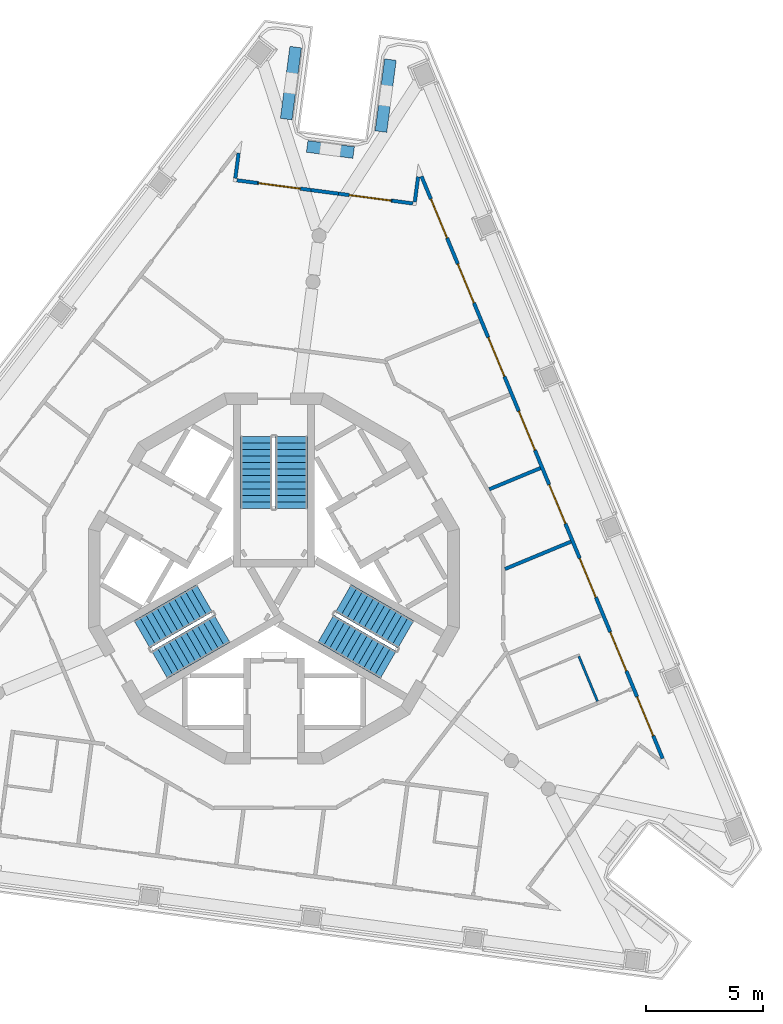
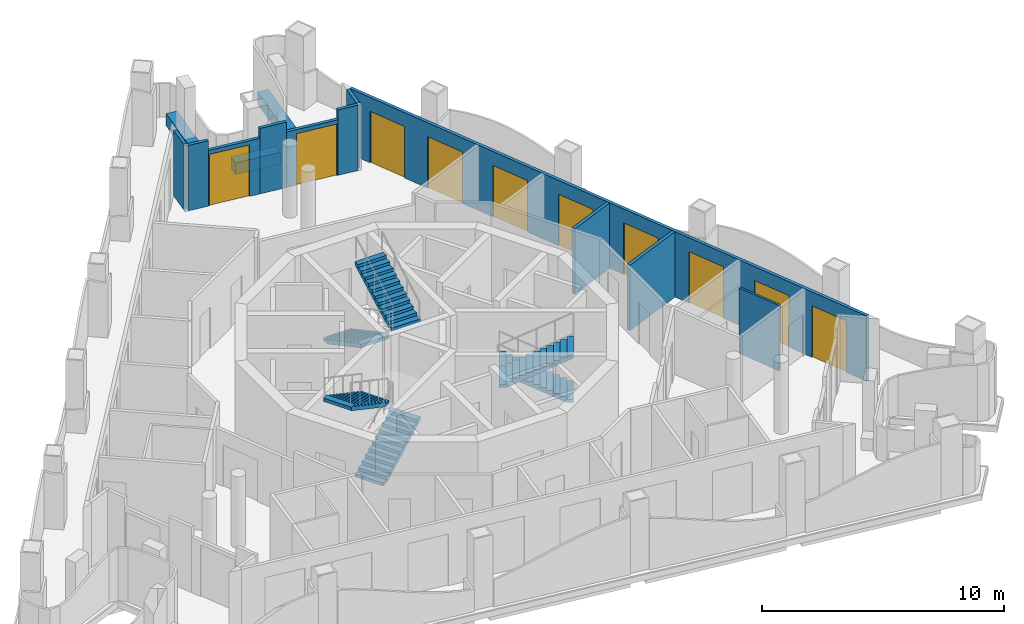
# One storey, part 6 of 12: 14 walls, 10 doors, 6 stair flights, 10 openings, 3 elements without a shape of their own.
"""IFC4 building model written with IfcOpenShell, lengths in metres."""

from ifc_helpers import new_model, si_unit, direction, frame, frame_2d, origin, place, context, subcontext, project, spatial, polyline, rectangle, outline, extrude, material, layer, layer_set, type_object, element, fill, aggregate, save


model = new_model("IFC4")

# Units and contexts
model_context = context("Model", 3, precision=1e-05, world=origin(), true_north=direction((0.0, 1.0)))
body_context = subcontext(model_context, "Body", "Model", "MODEL_VIEW")
ifc_project = project(units=[si_unit("LENGTHUNIT", "METRE"), si_unit("AREAUNIT", "SQUARE_METRE"), si_unit("VOLUMEUNIT", "CUBIC_METRE"), si_unit("PLANEANGLEUNIT", "RADIAN"), si_unit("MASSUNIT", "GRAM", prefix="KILO")], contexts=[model_context])

# Site, building, storey
site_placement = place(None, origin())
site = spatial("IfcSite", under=ifc_project, at=site_placement, CompositionType="ELEMENT")
building_placement = place(site_placement, origin())
building = spatial("IfcBuilding", under=site, at=building_placement, Name="Trine Commons Tower", CompositionType="ELEMENT")
storey_placement = place(building_placement, frame((0.0, 0.0, 275.39990234375)))
storey = spatial("IfcBuildingStorey", under=building, at=storey_placement, Name="L72", CompositionType="ELEMENT", Elevation=275.39990234375)

# Walls
ifc_material_1 = material(Name="Aluminium-framed insulated wall panel", Category="aluminium")
ifc_layer_1 = layer(ifc_material_1, 0.14990234375)
ifc_layer_set_1 = layer_set([ifc_layer_1], Name="Aluminium-framed insulated wall panel")
wall_type_1 = type_object("IfcWallType", Name="Glazed frame wall 150, EI 60", PredefinedType="SOLIDWALL", material=ifc_layer_set_1)
wall_1_placement = place(storey_placement, frame((78.51220703125, 80.81005859375, 0.0), z_axis=(0.0, 0.0, 1.0), x_axis=(-0.130510858064, -0.991446880033, 0.0)))
element("IfcWall", 1, at=wall_1_placement, inside=storey, type_object=wall_type_1, Name="Glazed frame wall R2", PredefinedType="SOLIDWALL", context=body_context, shape_type="SweptSolid", body=[
    extrude(outline(polyline([(0.1494140625, 0.074951171875), (0.1494140625, -0.074951171875), (1.235107421875, -0.074951171875), (1.235107421875, 0.074951171875), (0.1494140625, 0.074951171875)])), origin(), (0.0, 0.0, 1.0), 3.300048828125),
])
wall_2_placement = place(storey_placement, frame((78.306396484375, 79.515869140625, 0.0), z_axis=(0.0, 0.0, 1.0), x_axis=(0.991437672373, -0.130580786489, 0.0)))
element("IfcWall", 2, at=wall_2_placement, inside=storey, type_object=wall_type_1, Name="Glazed frame wall P1.1", PredefinedType="SOLIDWALL", context=body_context, shape_type="SweptSolid", body=[
    extrude(outline(polyline([(0.110107421875, -0.074951171875), (1.0, -0.074951171875), (1.0, 0.074951171875), (0.110107421875, 0.074951171875), (0.110107421875, -0.074951171875)])), origin(), (0.0, 0.0, 1.0), 3.300048828125),
])

# Wall, opening, door
wall_3_placement = place(storey_placement, frame((79.298095703125, 79.38525390625, 0.0), z_axis=(0.0, 0.0, 1.0), x_axis=(0.991435223914, -0.130599375121, 0.0)))
wall_3 = element("IfcWall", 3, at=wall_3_placement, inside=storey, type_object=wall_type_1, Name="Glazed frame wall P1.2", PredefinedType="SOLIDWALL", context=body_context, shape_type="SweptSolid", body=[
    extrude(outline(polyline([(0.0, -0.074951171875), (2.310791015625, -0.074951171875), (2.310791015625, 0.074951171875), (0.0, 0.074951171875), (0.0, -0.074951171875)])), origin(), (0.0, 0.0, 1.0), 2.800048828125),
])
opening_1_placement = place(wall_3_placement, frame((0.050048828125, 0.0, 0.0)))
opening_1 = element("IfcOpeningElement", 4, at=opening_1_placement, cuts=wall_3, Name="Opening BD-8P1-01", PredefinedType="OPENING", context=body_context, shape_type="SweptSolid", body=[
    extrude(rectangle(XDim=1.800048828125, YDim=2.60009765625, at=frame_2d((0.89990234375, 1.300048828125))), frame((0.0, 0.0849609375, 0.0), z_axis=(0.0, -1.0, 0.0), x_axis=(1.0, 0.0, 0.0)), (0.0, 0.0, 1.0), 0.169921875),
])
ifc_material_2 = material(Name="Anodised aluminium frame with double glazing", Category="aluminium")
door_type = type_object("IfcDoorType", Name="Sliding loggia door 1800x2600", OperationType="SLIDING_TO_LEFT", PredefinedType="DOOR", material=ifc_material_2)
door_1_placement = place(opening_1_placement, origin())
door_1 = element("IfcDoor", 5, at=door_1_placement, inside=storey, type_object=door_type, Name="Loggia door P1 1", OperationType="SLIDING_TO_LEFT", OverallHeight=2.60009765625, OverallWidth=1.800048828125, PredefinedType="DOOR", context=body_context, shape_type="SweptSolid", body=[
    extrude(rectangle(XDim=1.800048828125, YDim=2.60009765625, at=frame_2d((0.89990234375, 1.300048828125))), frame((0.0, 0.02490234375, 0.0), z_axis=(0.0, -1.0, 0.0), x_axis=(1.0, 0.0, 0.0)), (0.0, 0.0, 1.0), 0.050048828125),
])
fill(opening_1, door_1)

# Wall
wall_4_placement = place(storey_placement, frame((81.5888671875, 79.08349609375, 0.0), z_axis=(0.0, 0.0, 1.0), x_axis=(0.991447243185, -0.130508099291, 0.0)))
element("IfcWall", 6, at=wall_4_placement, inside=storey, type_object=wall_type_1, Name="Glazed frame wall P1.3", PredefinedType="SOLIDWALL", context=body_context, shape_type="SweptSolid", body=[
    extrude(outline(polyline([(0.0, -0.074951171875), (1.1787109375, -0.074951171875), (1.1787109375, 0.074951171875), (0.0, 0.074951171875), (0.0, -0.074951171875)])), origin(), (0.0, 0.0, 1.0), 3.300048828125),
])

# Wall, opening, door
wall_5_placement = place(storey_placement, frame((82.75732421875, 78.9296875, 0.0), z_axis=(0.0, 0.0, 1.0), x_axis=(0.991450699069, -0.130481842855, 0.0)))
wall_5 = element("IfcWall", 7, at=wall_5_placement, inside=storey, type_object=wall_type_1, Name="Glazed frame wall P1.4", PredefinedType="SOLIDWALL", context=body_context, shape_type="SweptSolid", body=[
    extrude(outline(polyline([(0.0, -0.074951171875), (2.310791015625, -0.074951171875), (2.310791015625, 0.074951171875), (0.0, 0.074951171875), (0.0, -0.074951171875)])), origin(), (0.0, 0.0, 1.0), 2.800048828125),
])
opening_2_placement = place(wall_5_placement, frame((0.460693359375, 0.0, 0.0)))
opening_2 = element("IfcOpeningElement", 8, at=opening_2_placement, cuts=wall_5, Name="Opening BD-8P1-02", PredefinedType="OPENING", context=body_context, shape_type="SweptSolid", body=[
    extrude(rectangle(XDim=1.800048828125, YDim=2.60009765625, at=frame_2d((0.89990234375, 1.300048828125))), frame((0.0, 0.0849609375, 0.0), z_axis=(0.0, -1.0, 0.0), x_axis=(1.0, 0.0, 0.0)), (0.0, 0.0, 1.0), 0.169921875),
])
door_2_placement = place(opening_2_placement, origin())
door_2 = element("IfcDoor", 9, at=door_2_placement, inside=storey, type_object=door_type, Name="Loggia door P1 2", OperationType="SLIDING_TO_LEFT", OverallHeight=2.60009765625, OverallWidth=1.800048828125, PredefinedType="DOOR", context=body_context, shape_type="SweptSolid", body=[
    extrude(rectangle(XDim=1.800048828125, YDim=2.60009765625, at=frame_2d((0.89990234375, 1.300048828125))), frame((0.0, 0.02490234375, 0.0), z_axis=(0.0, -1.0, 0.0), x_axis=(1.0, 0.0, 0.0)), (0.0, 0.0, 1.0), 0.050048828125),
])
fill(opening_2, door_2)

# Walls
wall_6_placement = place(storey_placement, frame((85.04833984375, 78.628173828125, 0.0), z_axis=(0.0, 0.0, 1.0), x_axis=(0.991465094935, -0.130372410907, 0.0)))
element("IfcWall", 10, at=wall_6_placement, inside=storey, type_object=wall_type_1, Name="Glazed frame wall P1.5", PredefinedType="SOLIDWALL", context=body_context, shape_type="SweptSolid", body=[
    extrude(outline(polyline([(0.889892578125, 0.074951171875), (0.0, 0.074951171875), (0.0, -0.074951171875), (0.889892578125, -0.074951171875), (0.889892578125, 0.074951171875)])), origin(), (0.0, 0.0, 1.0), 3.300048828125),
])
wall_7_placement = place(storey_placement, frame((86.00048828125, 78.467529296875, 0.0), z_axis=(0.0, 0.0, 1.0), x_axis=(0.130510858064, 0.991446880033, 0.0)))
element("IfcWall", 11, at=wall_7_placement, inside=storey, type_object=wall_type_1, Name="Glazed frame wall R4", PredefinedType="SOLIDWALL", context=body_context, shape_type="SweptSolid", body=[
    extrude(outline(polyline([(0.110107421875, 0.074951171875), (0.110107421875, -0.074951171875), (1.19580078125, -0.074951171875), (1.19580078125, 0.074951171875), (0.110107421875, 0.074951171875)])), origin(), (0.0, 0.0, 1.0), 3.300048828125),
])

# Wall, openings, doors
wall_8_placement = place(storey_placement, frame((86.2431640625, 79.809814453125, 0.0), z_axis=(0.0, 0.0, 1.0), x_axis=(0.382683868189, -0.923879351987, 0.0)))
wall_8 = element("IfcWall", 12, at=wall_8_placement, inside=storey, type_object=wall_type_1, Name="Glazed frame wall F2", PredefinedType="SOLIDWALL", context=body_context, shape_type="SweptSolid", body=[
    extrude(outline(polyline([(0.1494140625, 0.074951171875), (0.1494140625, -0.074951171875), (27.056884765625, -0.074951171875), (27.056884765625, 0.074951171875), (0.1494140625, 0.074951171875)])), origin(), (0.0, 0.0, 1.0), 3.300048828125),
])
opening_3_placement = place(wall_8_placement, frame((1.200439453125, 0.0, 0.0)))
opening_3 = element("IfcOpeningElement", 13, at=opening_3_placement, cuts=wall_8, Name="Opening BD-8F2-01", PredefinedType="OPENING", context=body_context, shape_type="SweptSolid", body=[
    extrude(rectangle(XDim=1.800048828125, YDim=2.60009765625, at=frame_2d((0.89990234375, 1.300048828125))), frame((0.0, 0.0849609375, 0.0), z_axis=(0.0, -1.0, 0.0), x_axis=(1.0, 0.0, 0.0)), (0.0, 0.0, 1.0), 0.169921875),
])
opening_4_placement = place(wall_8_placement, frame((4.201171875, 0.0, 0.0)))
opening_4 = element("IfcOpeningElement", 14, at=opening_4_placement, cuts=wall_8, Name="Opening BD-8F2-02", PredefinedType="OPENING", context=body_context, shape_type="SweptSolid", body=[
    extrude(rectangle(XDim=1.800048828125, YDim=2.60009765625, at=frame_2d((0.89990234375, 1.300048828125))), frame((0.0, 0.0849609375, 0.0), z_axis=(0.0, -1.0, 0.0), x_axis=(1.0, 0.0, 0.0)), (0.0, 0.0, 1.0), 0.169921875),
])
opening_5_placement = place(wall_8_placement, frame((7.60205078125, 0.0, 0.0)))
opening_5 = element("IfcOpeningElement", 15, at=opening_5_placement, cuts=wall_8, Name="Opening BD-8F2-03", PredefinedType="OPENING", context=body_context, shape_type="SweptSolid", body=[
    extrude(rectangle(XDim=1.800048828125, YDim=2.60009765625, at=frame_2d((0.89990234375, 1.300048828125))), frame((0.0, 0.0849609375, 0.0), z_axis=(0.0, -1.0, 0.0), x_axis=(1.0, 0.0, 0.0)), (0.0, 0.0, 1.0), 0.169921875),
])
opening_6_placement = place(wall_8_placement, frame((11.002685546875, 0.0, 0.0)))
opening_6 = element("IfcOpeningElement", 16, at=opening_6_placement, cuts=wall_8, Name="Opening BD-8F2-04", PredefinedType="OPENING", context=body_context, shape_type="SweptSolid", body=[
    extrude(rectangle(XDim=1.800048828125, YDim=2.60009765625, at=frame_2d((0.89990234375, 1.300048828125))), frame((0.0, 0.0849609375, 0.0), z_axis=(0.0, -1.0, 0.0), x_axis=(1.0, 0.0, 0.0)), (0.0, 0.0, 1.0), 0.169921875),
])
opening_7_placement = place(wall_8_placement, frame((14.403564453125, 0.0, 0.0)))
opening_7 = element("IfcOpeningElement", 17, at=opening_7_placement, cuts=wall_8, Name="Opening BD-8F2-05", PredefinedType="OPENING", context=body_context, shape_type="SweptSolid", body=[
    extrude(rectangle(XDim=1.800048828125, YDim=2.60009765625, at=frame_2d((0.89990234375, 1.300048828125))), frame((0.0, 0.0849609375, 0.0), z_axis=(0.0, -1.0, 0.0), x_axis=(1.0, 0.0, 0.0)), (0.0, 0.0, 1.0), 0.169921875),
])
opening_8_placement = place(wall_8_placement, frame((17.804443359375, 0.0, 0.0)))
opening_8 = element("IfcOpeningElement", 18, at=opening_8_placement, cuts=wall_8, Name="Opening BD-8F2-06", PredefinedType="OPENING", context=body_context, shape_type="SweptSolid", body=[
    extrude(rectangle(XDim=1.800048828125, YDim=2.60009765625, at=frame_2d((0.89990234375, 1.300048828125))), frame((0.0, 0.0849609375, 0.0), z_axis=(0.0, -1.0, 0.0), x_axis=(1.0, 0.0, 0.0)), (0.0, 0.0, 1.0), 0.169921875),
])
opening_9_placement = place(wall_8_placement, frame((21.205078125, 0.0, 0.0)))
opening_9 = element("IfcOpeningElement", 19, at=opening_9_placement, cuts=wall_8, Name="Opening BD-8F2-07", PredefinedType="OPENING", context=body_context, shape_type="SweptSolid", body=[
    extrude(rectangle(XDim=1.800048828125, YDim=2.60009765625, at=frame_2d((0.89990234375, 1.300048828125))), frame((0.0, 0.0849609375, 0.0), z_axis=(0.0, -1.0, 0.0), x_axis=(1.0, 0.0, 0.0)), (0.0, 0.0, 1.0), 0.169921875),
])
opening_10_placement = place(wall_8_placement, frame((24.2060546875, 0.0, 0.0)))
opening_10 = element("IfcOpeningElement", 20, at=opening_10_placement, cuts=wall_8, Name="Opening BD-8F2-08", PredefinedType="OPENING", context=body_context, shape_type="SweptSolid", body=[
    extrude(rectangle(XDim=1.800048828125, YDim=2.60009765625, at=frame_2d((0.89990234375, 1.300048828125))), frame((0.0, 0.0849609375, 0.0), z_axis=(0.0, -1.0, 0.0), x_axis=(1.0, 0.0, 0.0)), (0.0, 0.0, 1.0), 0.169921875),
])
door_3_placement = place(opening_3_placement, origin())
door_3 = element("IfcDoor", 21, at=door_3_placement, inside=storey, type_object=door_type, Name="Loggia door F2 1", OperationType="SLIDING_TO_LEFT", OverallHeight=2.60009765625, OverallWidth=1.800048828125, PredefinedType="DOOR", context=body_context, shape_type="SweptSolid", body=[
    extrude(rectangle(XDim=1.800048828125, YDim=2.60009765625, at=frame_2d((0.89990234375, 1.300048828125))), frame((0.0, 0.02490234375, 0.0), z_axis=(0.0, -1.0, 0.0), x_axis=(1.0, 0.0, 0.0)), (0.0, 0.0, 1.0), 0.050048828125),
])
fill(opening_3, door_3)
door_4_placement = place(opening_4_placement, origin())
door_4 = element("IfcDoor", 22, at=door_4_placement, inside=storey, type_object=door_type, Name="Loggia door F2 2", OperationType="SLIDING_TO_LEFT", OverallHeight=2.60009765625, OverallWidth=1.800048828125, PredefinedType="DOOR", context=body_context, shape_type="SweptSolid", body=[
    extrude(rectangle(XDim=1.800048828125, YDim=2.60009765625, at=frame_2d((0.89990234375, 1.300048828125))), frame((0.0, 0.02490234375, 0.0), z_axis=(0.0, -1.0, 0.0), x_axis=(1.0, 0.0, 0.0)), (0.0, 0.0, 1.0), 0.050048828125),
])
fill(opening_4, door_4)
door_5_placement = place(opening_5_placement, origin())
door_5 = element("IfcDoor", 23, at=door_5_placement, inside=storey, type_object=door_type, Name="Loggia door F2 3", OperationType="SLIDING_TO_LEFT", OverallHeight=2.60009765625, OverallWidth=1.800048828125, PredefinedType="DOOR", context=body_context, shape_type="SweptSolid", body=[
    extrude(rectangle(XDim=1.800048828125, YDim=2.60009765625, at=frame_2d((0.89990234375, 1.300048828125))), frame((0.0, 0.02490234375, 0.0), z_axis=(0.0, -1.0, 0.0), x_axis=(1.0, 0.0, 0.0)), (0.0, 0.0, 1.0), 0.050048828125),
])
fill(opening_5, door_5)
door_6_placement = place(opening_6_placement, origin())
door_6 = element("IfcDoor", 24, at=door_6_placement, inside=storey, type_object=door_type, Name="Loggia door F2 4", OperationType="SLIDING_TO_LEFT", OverallHeight=2.60009765625, OverallWidth=1.800048828125, PredefinedType="DOOR", context=body_context, shape_type="SweptSolid", body=[
    extrude(rectangle(XDim=1.800048828125, YDim=2.60009765625, at=frame_2d((0.89990234375, 1.300048828125))), frame((0.0, 0.02490234375, 0.0), z_axis=(0.0, -1.0, 0.0), x_axis=(1.0, 0.0, 0.0)), (0.0, 0.0, 1.0), 0.050048828125),
])
fill(opening_6, door_6)
door_7_placement = place(opening_7_placement, origin())
door_7 = element("IfcDoor", 25, at=door_7_placement, inside=storey, type_object=door_type, Name="Loggia door F2 5", OperationType="SLIDING_TO_LEFT", OverallHeight=2.60009765625, OverallWidth=1.800048828125, PredefinedType="DOOR", context=body_context, shape_type="SweptSolid", body=[
    extrude(rectangle(XDim=1.800048828125, YDim=2.60009765625, at=frame_2d((0.89990234375, 1.300048828125))), frame((0.0, 0.02490234375, 0.0), z_axis=(0.0, -1.0, 0.0), x_axis=(1.0, 0.0, 0.0)), (0.0, 0.0, 1.0), 0.050048828125),
])
fill(opening_7, door_7)
door_8_placement = place(opening_8_placement, origin())
door_8 = element("IfcDoor", 26, at=door_8_placement, inside=storey, type_object=door_type, Name="Loggia door F2 6", OperationType="SLIDING_TO_LEFT", OverallHeight=2.60009765625, OverallWidth=1.800048828125, PredefinedType="DOOR", context=body_context, shape_type="SweptSolid", body=[
    extrude(rectangle(XDim=1.800048828125, YDim=2.60009765625, at=frame_2d((0.89990234375, 1.300048828125))), frame((0.0, 0.02490234375, 0.0), z_axis=(0.0, -1.0, 0.0), x_axis=(1.0, 0.0, 0.0)), (0.0, 0.0, 1.0), 0.050048828125),
])
fill(opening_8, door_8)
door_9_placement = place(opening_9_placement, origin())
door_9 = element("IfcDoor", 27, at=door_9_placement, inside=storey, type_object=door_type, Name="Loggia door F2 7", OperationType="SLIDING_TO_LEFT", OverallHeight=2.60009765625, OverallWidth=1.800048828125, PredefinedType="DOOR", context=body_context, shape_type="SweptSolid", body=[
    extrude(rectangle(XDim=1.800048828125, YDim=2.60009765625, at=frame_2d((0.89990234375, 1.300048828125))), frame((0.0, 0.02490234375, 0.0), z_axis=(0.0, -1.0, 0.0), x_axis=(1.0, 0.0, 0.0)), (0.0, 0.0, 1.0), 0.050048828125),
])
fill(opening_9, door_9)
door_10_placement = place(opening_10_placement, origin())
door_10 = element("IfcDoor", 28, at=door_10_placement, inside=storey, type_object=door_type, Name="Loggia door F2 8", OperationType="SLIDING_TO_LEFT", OverallHeight=2.60009765625, OverallWidth=1.800048828125, PredefinedType="DOOR", context=body_context, shape_type="SweptSolid", body=[
    extrude(rectangle(XDim=1.800048828125, YDim=2.60009765625, at=frame_2d((0.89990234375, 1.300048828125))), frame((0.0, 0.02490234375, 0.0), z_axis=(0.0, -1.0, 0.0), x_axis=(1.0, 0.0, 0.0)), (0.0, 0.0, 1.0), 0.050048828125),
])
fill(opening_10, door_10)

# Walls
ifc_material_3 = material(Name="Planter trough, precast concrete C40/50", Category="concrete")
ifc_layer_2 = layer(ifc_material_3, 0.5)
ifc_layer_set_2 = layer_set([ifc_layer_2], Name="Planter trough, precast concrete C40/50")
wall_type_2 = type_object("IfcWallType", Name="Planter trough 500x600", PredefinedType="PARAPET", material=ifc_layer_set_2)
wall_9_placement = place(storey_placement, frame((80.92919921875, 85.18701171875, 0.0), z_axis=(0.0, 0.0, 1.0), x_axis=(-0.130487105691, -0.991450006429, 0.0)))
element("IfcWall", 29, at=wall_9_placement, inside=storey, type_object=wall_type_2, Name="Planter 4", PredefinedType="PARAPET", context=body_context, shape_type="SweptSolid", body=[
    extrude(rectangle(XDim=3.100341796875, YDim=0.5, at=frame_2d((1.55029296875, 0.0))), origin(), (0.0, 0.0, 1.0), 0.60009765625),
])
wall_10_placement = place(storey_placement, frame((81.419921875, 80.94677734375, 0.0), z_axis=(0.0, 0.0, 1.0), x_axis=(0.991433509034, -0.130612392842, 0.0)))
element("IfcWall", 30, at=wall_10_placement, inside=storey, type_object=wall_type_2, Name="Planter 5", PredefinedType="PARAPET", context=body_context, shape_type="SweptSolid", body=[
    extrude(rectangle(XDim=2.0, YDim=0.5, at=frame_2d((1.0, 0.0))), origin(), (0.0, 0.0, 1.0), 0.60009765625),
])
wall_11_placement = place(storey_placement, frame((84.569580078125, 81.5810546875, 0.0), z_axis=(0.0, 0.0, 1.0), x_axis=(0.130507484591, 0.9914473241, 0.0)))
element("IfcWall", 31, at=wall_11_placement, inside=storey, type_object=wall_type_2, Name="Planter 6", PredefinedType="PARAPET", context=body_context, shape_type="SweptSolid", body=[
    extrude(rectangle(XDim=3.099853515625, YDim=0.5, at=frame_2d((1.5498046875, 0.0))), origin(), (0.0, 0.0, 1.0), 0.60009765625),
])
ifc_material_4 = material(Name="Gypsum plasterboard on steel stud", Category="steel")
ifc_layer_3 = layer(ifc_material_4, 0.14990234375)
ifc_layer_set_3 = layer_set([ifc_layer_3], Name="Gypsum plasterboard on steel stud")
wall_type_3 = type_object("IfcWallType", Name="Unit and corridor wall 150 mm, EI 60", PredefinedType="PARTITIONING", material=ifc_layer_set_3)
wall_12_placement = place(storey_placement, frame((89.197265625, 66.309814453125, 0.0), z_axis=(0.0, 0.0, 1.0), x_axis=(0.923858052564, 0.382735285429, 0.0)))
element("IfcWall", 32, at=wall_12_placement, inside=storey, type_object=wall_type_3, Name="Partition 048", PredefinedType="PARTITIONING", context=body_context, shape_type="SweptSolid", body=[
    extrude(rectangle(XDim=2.361328125, YDim=0.14990234375, at=frame_2d((1.1806640625, 0.0))), origin(), (0.0, 0.0, 1.0), 3.300048828125),
])
wall_13_placement = place(storey_placement, frame((89.865234375, 62.90478515625, 0.0), z_axis=(0.0, 0.0, 1.0), x_axis=(0.923798092673, 0.382879986385, 0.0)))
element("IfcWall", 33, at=wall_13_placement, inside=storey, type_object=wall_type_3, Name="Partition 051", PredefinedType="PARTITIONING", context=body_context, shape_type="SweptSolid", body=[
    extrude(rectangle(XDim=3.0478515625, YDim=0.14990234375, at=frame_2d((1.52392578125, 0.0))), origin(), (0.0, 0.0, 1.0), 3.300048828125),
])
ifc_layer_4 = layer(ifc_material_4, 0.10009765625)
ifc_layer_set_4 = layer_set([ifc_layer_4], Name="Gypsum plasterboard on steel stud")
wall_type_4 = type_object("IfcWallType", Name="Unit partition 100 mm, no rating", PredefinedType="PARTITIONING", material=ifc_layer_set_4)
wall_14_placement = place(storey_placement, frame((93.02001953125, 59.1767578125, 0.0), z_axis=(0.0, 0.0, 1.0), x_axis=(0.382826421446, -0.92382029153, 0.0)))
element("IfcWall", 34, at=wall_14_placement, inside=storey, type_object=wall_type_4, Name="Partition 056", PredefinedType="PARTITIONING", context=body_context, shape_type="SweptSolid", body=[
    extrude(rectangle(XDim=2.074462890625, YDim=0.10009765625, at=frame_2d((1.037109375, 0.0))), origin(), (0.0, 0.0, 1.0), 3.300048828125),
])

# Stair, stair flights
ifc_material_5 = material(Name="Concrete C50/60", Category="concrete")
stair_type = type_object("IfcStairType", Name="Exit stair, dog-leg, 24 risers of 150 mm", PredefinedType="HALF_TURN_STAIR", material=ifc_material_5)
stair_1_placement = place(storey_placement, origin())
stair_1 = element("IfcStair", 35, at=stair_1_placement, inside=storey, type_object=stair_type, Name="L72 Exit stair ST1D", PredefinedType="HALF_TURN_STAIR")
stair_flight_type = type_object("IfcStairFlightType", Name="Stair flight, 1350 wide, 12 risers of 150 mm", PredefinedType="STRAIGHT", material=ifc_material_5)
stair_flight_1_placement = place(storey_placement, frame((79.25, 68.570556640625, 0.0), z_axis=(0.0, 0.0, 1.0), x_axis=(0.0, -1.0, 0.0)))
stair_flight_1 = element("IfcStairFlight", 36, at=stair_flight_1_placement, type_object=stair_flight_type, Name="ST1D flight 1", NumberOfRisers=12, NumberOfTreads=11, PredefinedType="STRAIGHT", RiserHeight=0.15, TreadLength=0.28, context=body_context, shape_type="SweptSolid", body=[
    extrude(outline(polyline([(0.0, 0.0), (0.0, 0.14990234375), (0.280029296875, 0.14990234375), (0.280029296875, 0.300048828125), (0.56005859375, 0.300048828125), (0.56005859375, 0.449951171875), (0.840087890625, 0.449951171875), (0.840087890625, 0.60009765625), (1.1201171875, 0.60009765625), (1.1201171875, 0.75), (1.39990234375, 0.75), (1.39990234375, 0.89990234375), (1.679931640625, 0.89990234375), (1.679931640625, 1.050048828125), (1.9599609375, 1.050048828125), (1.9599609375, 1.199951171875), (2.239990234375, 1.199951171875), (2.239990234375, 1.35009765625), (2.52001953125, 1.35009765625), (2.52001953125, 1.5), (2.800048828125, 1.5), (2.800048828125, 1.64990234375), (3.080078125, 1.64990234375), (3.080078125, 1.800048828125), (3.080078125, 1.47998046875), (0.3173828125, 0.0), (0.0, 0.0)])), frame((0.0, 0.675048828125, 0.0), z_axis=(0.0, -1.0, 0.0), x_axis=(1.0, 0.0, 0.0)), (0.0, 0.0, 1.0), 1.35009765625),
])
stair_flight_2_placement = place(storey_placement, frame((80.75, 65.490478515625, 1.800048828125), z_axis=(0.0, 0.0, 1.0), x_axis=(0.0, 1.0, 0.0)))
stair_flight_2 = element("IfcStairFlight", 37, at=stair_flight_2_placement, type_object=stair_flight_type, Name="ST1D flight 2", NumberOfRisers=12, NumberOfTreads=11, PredefinedType="STRAIGHT", RiserHeight=0.15, TreadLength=0.28, context=body_context, shape_type="SweptSolid", body=[
    extrude(outline(polyline([(0.0, 0.0), (0.0, 0.14990234375), (0.280029296875, 0.14990234375), (0.280029296875, 0.300048828125), (0.56005859375, 0.300048828125), (0.56005859375, 0.449951171875), (0.840087890625, 0.449951171875), (0.840087890625, 0.60009765625), (1.1201171875, 0.60009765625), (1.1201171875, 0.75), (1.39990234375, 0.75), (1.39990234375, 0.89990234375), (1.679931640625, 0.89990234375), (1.679931640625, 1.050048828125), (1.9599609375, 1.050048828125), (1.9599609375, 1.199951171875), (2.239990234375, 1.199951171875), (2.239990234375, 1.35009765625), (2.52001953125, 1.35009765625), (2.52001953125, 1.5), (2.800048828125, 1.5), (2.800048828125, 1.64990234375), (3.080078125, 1.64990234375), (3.080078125, 1.800048828125), (3.080078125, 1.47998046875), (0.3173828125, 0.0), (0.0, 0.0)])), frame((0.0, 0.675048828125, 0.0), z_axis=(0.0, -1.0, 0.0), x_axis=(1.0, 0.0, 0.0)), (0.0, 0.0, 1.0), 1.35009765625),
])
aggregate(stair_1, [stair_flight_1, stair_flight_2])

stair_2_placement = place(storey_placement, origin())
stair_2 = element("IfcStair", 38, at=stair_2_placement, inside=storey, type_object=stair_type, Name="L72 Exit stair ST2D", PredefinedType="HALF_TURN_STAIR")
stair_flight_3_placement = place(storey_placement, frame((75.11767578125, 58.815185546875, 0.0), z_axis=(0.0, 0.0, 1.0), x_axis=(0.866025403784, 0.5, 0.0)))
stair_flight_3 = element("IfcStairFlight", 39, at=stair_flight_3_placement, type_object=stair_flight_type, Name="ST2D flight 1", NumberOfRisers=12, NumberOfTreads=11, PredefinedType="STRAIGHT", RiserHeight=0.15, TreadLength=0.28, context=body_context, shape_type="SweptSolid", body=[
    extrude(outline(polyline([(0.0, 0.0), (0.0, 0.14990234375), (0.280029296875, 0.14990234375), (0.280029296875, 0.300048828125), (0.56005859375, 0.300048828125), (0.56005859375, 0.449951171875), (0.840087890625, 0.449951171875), (0.840087890625, 0.60009765625), (1.1201171875, 0.60009765625), (1.1201171875, 0.75), (1.39990234375, 0.75), (1.39990234375, 0.89990234375), (1.679931640625, 0.89990234375), (1.679931640625, 1.050048828125), (1.9599609375, 1.050048828125), (1.9599609375, 1.199951171875), (2.239990234375, 1.199951171875), (2.239990234375, 1.35009765625), (2.52001953125, 1.35009765625), (2.52001953125, 1.5), (2.800048828125, 1.5), (2.800048828125, 1.64990234375), (3.080078125, 1.64990234375), (3.080078125, 1.800048828125), (3.080078125, 1.47998046875), (0.3173828125, 0.0), (0.0, 0.0)])), frame((0.0, 0.675048828125, 0.0), z_axis=(0.0, -1.0, 0.0), x_axis=(1.0, 0.0, 0.0)), (0.0, 0.0, 1.0), 1.35009765625),
])
stair_flight_4_placement = place(storey_placement, frame((77.03515625, 61.654296875, 1.800048828125), z_axis=(0.0, 0.0, 1.0), x_axis=(-0.866025403784, -0.5, 0.0)))
stair_flight_4 = element("IfcStairFlight", 40, at=stair_flight_4_placement, type_object=stair_flight_type, Name="ST2D flight 2", NumberOfRisers=12, NumberOfTreads=11, PredefinedType="STRAIGHT", RiserHeight=0.15, TreadLength=0.28, context=body_context, shape_type="SweptSolid", body=[
    extrude(outline(polyline([(0.0, 0.0), (0.0, 0.14990234375), (0.280029296875, 0.14990234375), (0.280029296875, 0.300048828125), (0.56005859375, 0.300048828125), (0.56005859375, 0.449951171875), (0.840087890625, 0.449951171875), (0.840087890625, 0.60009765625), (1.1201171875, 0.60009765625), (1.1201171875, 0.75), (1.39990234375, 0.75), (1.39990234375, 0.89990234375), (1.679931640625, 0.89990234375), (1.679931640625, 1.050048828125), (1.9599609375, 1.050048828125), (1.9599609375, 1.199951171875), (2.239990234375, 1.199951171875), (2.239990234375, 1.35009765625), (2.52001953125, 1.35009765625), (2.52001953125, 1.5), (2.800048828125, 1.5), (2.800048828125, 1.64990234375), (3.080078125, 1.64990234375), (3.080078125, 1.800048828125), (3.080078125, 1.47998046875), (0.3173828125, 0.0), (0.0, 0.0)])), frame((0.0, 0.675048828125, 0.0), z_axis=(0.0, -1.0, 0.0), x_axis=(1.0, 0.0, 0.0)), (0.0, 0.0, 1.0), 1.35009765625),
])
aggregate(stair_2, [stair_flight_3, stair_flight_4])

stair_3_placement = place(storey_placement, origin())
stair_3 = element("IfcStair", 41, at=stair_3_placement, inside=storey, type_object=stair_type, Name="L72 Exit stair ST3D", PredefinedType="HALF_TURN_STAIR")
stair_flight_5_placement = place(storey_placement, frame((85.63232421875, 60.1142578125, 0.0), z_axis=(0.0, 0.0, 1.0), x_axis=(-0.866025403784, 0.5, 0.0)))
stair_flight_5 = element("IfcStairFlight", 42, at=stair_flight_5_placement, type_object=stair_flight_type, Name="ST3D flight 1", NumberOfRisers=12, NumberOfTreads=11, PredefinedType="STRAIGHT", RiserHeight=0.15, TreadLength=0.28, context=body_context, shape_type="SweptSolid", body=[
    extrude(outline(polyline([(0.0, 0.0), (0.0, 0.14990234375), (0.280029296875, 0.14990234375), (0.280029296875, 0.300048828125), (0.56005859375, 0.300048828125), (0.56005859375, 0.449951171875), (0.840087890625, 0.449951171875), (0.840087890625, 0.60009765625), (1.1201171875, 0.60009765625), (1.1201171875, 0.75), (1.39990234375, 0.75), (1.39990234375, 0.89990234375), (1.679931640625, 0.89990234375), (1.679931640625, 1.050048828125), (1.9599609375, 1.050048828125), (1.9599609375, 1.199951171875), (2.239990234375, 1.199951171875), (2.239990234375, 1.35009765625), (2.52001953125, 1.35009765625), (2.52001953125, 1.5), (2.800048828125, 1.5), (2.800048828125, 1.64990234375), (3.080078125, 1.64990234375), (3.080078125, 1.800048828125), (3.080078125, 1.47998046875), (0.3173828125, 0.0), (0.0, 0.0)])), frame((0.0, 0.675048828125, 0.0), z_axis=(0.0, -1.0, 0.0), x_axis=(1.0, 0.0, 0.0)), (0.0, 0.0, 1.0), 1.35009765625),
])
stair_flight_6_placement = place(storey_placement, frame((82.21484375, 60.355224609375, 1.800048828125), z_axis=(0.0, 0.0, 1.0), x_axis=(0.866025403784, -0.5, 0.0)))
stair_flight_6 = element("IfcStairFlight", 43, at=stair_flight_6_placement, type_object=stair_flight_type, Name="ST3D flight 2", NumberOfRisers=12, NumberOfTreads=11, PredefinedType="STRAIGHT", RiserHeight=0.15, TreadLength=0.28, context=body_context, shape_type="SweptSolid", body=[
    extrude(outline(polyline([(0.0, 0.0), (0.0, 0.14990234375), (0.280029296875, 0.14990234375), (0.280029296875, 0.300048828125), (0.56005859375, 0.300048828125), (0.56005859375, 0.449951171875), (0.840087890625, 0.449951171875), (0.840087890625, 0.60009765625), (1.1201171875, 0.60009765625), (1.1201171875, 0.75), (1.39990234375, 0.75), (1.39990234375, 0.89990234375), (1.679931640625, 0.89990234375), (1.679931640625, 1.050048828125), (1.9599609375, 1.050048828125), (1.9599609375, 1.199951171875), (2.239990234375, 1.199951171875), (2.239990234375, 1.35009765625), (2.52001953125, 1.35009765625), (2.52001953125, 1.5), (2.800048828125, 1.5), (2.800048828125, 1.64990234375), (3.080078125, 1.64990234375), (3.080078125, 1.800048828125), (3.080078125, 1.47998046875), (0.3173828125, 0.0), (0.0, 0.0)])), frame((0.0, 0.675048828125, 0.0), z_axis=(0.0, -1.0, 0.0), x_axis=(1.0, 0.0, 0.0)), (0.0, 0.0, 1.0), 1.35009765625),
])
aggregate(stair_3, [stair_flight_5, stair_flight_6])

save(model, "model.ifc")
